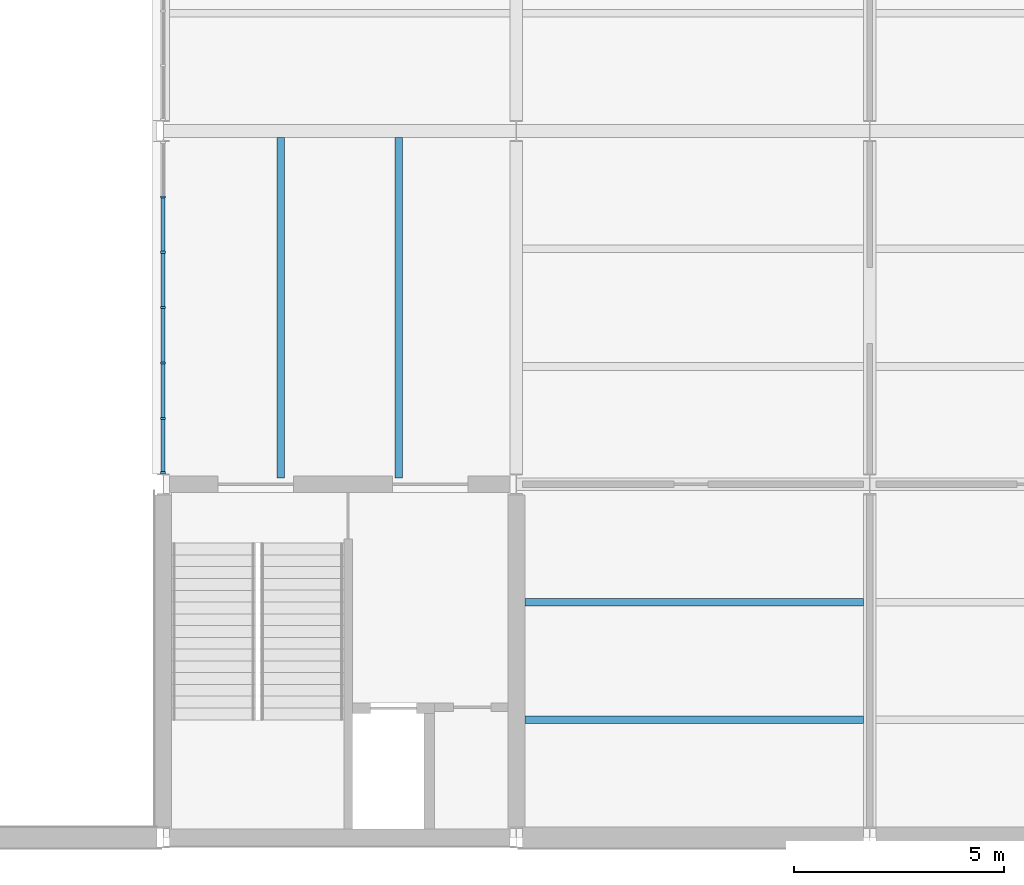
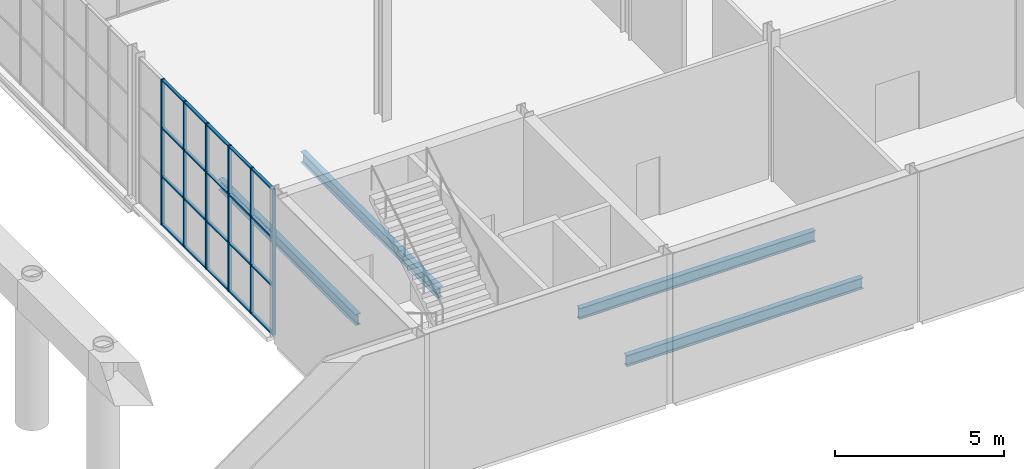
# One storey, part 9 of 64: 26 members, 4 beams, 1 element without a shape of its own.
"""IFC4 building model written with IfcOpenShell, lengths in metres."""

from ifc_helpers import new_model, si_unit, direction, frame, origin, origin_2d, place, context, subcontext, project, spatial, rectangle, i_section, extrude, material, layer, layer_set, material_profile, profile_set, type_object, element, aggregate, save


model = new_model("IFC4")

# Units and contexts
model_context = context("Model", 3, precision=1e-05, world=origin(), true_north=direction((0.0, 1.0)))
body_context = subcontext(model_context, "Body", "Model", "MODEL_VIEW")
ifc_project = project(units=[si_unit("LENGTHUNIT", "METRE"), si_unit("AREAUNIT", "SQUARE_METRE"), si_unit("VOLUMEUNIT", "CUBIC_METRE"), si_unit("PLANEANGLEUNIT", "RADIAN"), si_unit("MASSUNIT", "GRAM", prefix="KILO")], contexts=[model_context])

# Site, building, storey
site_placement = place(None, origin())
site = spatial("IfcSite", under=ifc_project, at=site_placement, CompositionType="ELEMENT")
building_placement = place(site_placement, origin())
building = spatial("IfcBuilding", under=site, at=building_placement, Name="Galleria Vessillo Department Store", CompositionType="ELEMENT")
storey_placement = place(building_placement, frame((0.0, 0.0, 6.0)))
storey = spatial("IfcBuildingStorey", under=building, at=storey_placement, Name="L01", CompositionType="ELEMENT", Elevation=6.0)

# Curtain wall, members
ifc_material_1 = material(Name="Aluminium and glass curtain wall", Category="aluminium")
ifc_layer = layer(ifc_material_1, 0.1201171875)
ifc_layer_set = layer_set([ifc_layer], Name="Aluminium and glass curtain wall")
curtain_wall_type = type_object("IfcCurtainWallType", Name="Shopfront curtain wall CW3 1400 module", PredefinedType="NOTDEFINED", material=ifc_layer_set)
curtain_wall_placement = place(storey_placement, origin())
curtain_wall = element("IfcCurtainWall", 1, at=curtain_wall_placement, inside=storey, type_object=curtain_wall_type, Name="Shopfront curtain wall CW3 1400 module LB-L01-01", PredefinedType="NOTDEFINED")
ifc_material_2 = material(Name="Aluminium alloy 6063 T6", Category="aluminium")
ifc_material_profile_1 = material_profile(ifc_material_2, rectangle(XDim=0.1201171875, YDim=0.050048828125, at=origin_2d()), Name="AL 50x120")
ifc_profile_set_1 = profile_set([ifc_material_profile_1], Name="Aluminium alloy 6063 T6")
member_type_1 = type_object("IfcMemberType", Name="Aluminium mullion 50 x 120", PredefinedType="MULLION", material=ifc_profile_set_1)
member_1_placement = place(storey_placement, frame((8.39990234375, 8.6748046875, 0.0), z_axis=(0.0, 0.0, 1.0), x_axis=(-1.0, 0.0, 0.0)))
member_1 = element("IfcMember", 2, at=member_1_placement, type_object=member_type_1, Name="CW3 mullion 1", PredefinedType="MULLION", context=body_context, shape_type="SweptSolid", body=[
    extrude(rectangle(XDim=0.1201171875, YDim=0.050048828125, at=origin_2d()), origin(), (0.0, 0.0, 1.0), 5.25),
])
member_2_placement = place(storey_placement, frame((8.39990234375, 9.966552734375, 0.0), z_axis=(0.0, 0.0, 1.0), x_axis=(-1.0, 0.0, 0.0)))
member_2 = element("IfcMember", 3, at=member_2_placement, type_object=member_type_1, Name="CW3 mullion 2", PredefinedType="MULLION", context=body_context, shape_type="SweptSolid", body=[
    extrude(rectangle(XDim=0.1201171875, YDim=0.050048828125, at=origin_2d()), origin(), (0.0, 0.0, 1.0), 5.25),
])
member_3_placement = place(storey_placement, frame((8.39990234375, 11.283203125, 0.0), z_axis=(0.0, 0.0, 1.0), x_axis=(-1.0, 0.0, 0.0)))
member_3 = element("IfcMember", 4, at=member_3_placement, type_object=member_type_1, Name="CW3 mullion 3", PredefinedType="MULLION", context=body_context, shape_type="SweptSolid", body=[
    extrude(rectangle(XDim=0.1201171875, YDim=0.050048828125, at=origin_2d()), origin(), (0.0, 0.0, 1.0), 5.25),
])
member_4_placement = place(storey_placement, frame((8.39990234375, 12.60009765625, 0.0), z_axis=(0.0, 0.0, 1.0), x_axis=(-1.0, 0.0, 0.0)))
member_4 = element("IfcMember", 5, at=member_4_placement, type_object=member_type_1, Name="CW3 mullion 4", PredefinedType="MULLION", context=body_context, shape_type="SweptSolid", body=[
    extrude(rectangle(XDim=0.1201171875, YDim=0.050048828125, at=origin_2d()), origin(), (0.0, 0.0, 1.0), 5.25),
])
member_5_placement = place(storey_placement, frame((8.39990234375, 13.916748046875, 0.0), z_axis=(0.0, 0.0, 1.0), x_axis=(-1.0, 0.0, 0.0)))
member_5 = element("IfcMember", 6, at=member_5_placement, type_object=member_type_1, Name="CW3 mullion 5", PredefinedType="MULLION", context=body_context, shape_type="SweptSolid", body=[
    extrude(rectangle(XDim=0.1201171875, YDim=0.050048828125, at=origin_2d()), origin(), (0.0, 0.0, 1.0), 5.25),
])
member_6_placement = place(storey_placement, frame((8.39990234375, 15.2333984375, 0.0), z_axis=(0.0, 0.0, 1.0), x_axis=(-1.0, 0.0, 0.0)))
member_6 = element("IfcMember", 7, at=member_6_placement, type_object=member_type_1, Name="CW3 mullion 6", PredefinedType="MULLION", context=body_context, shape_type="SweptSolid", body=[
    extrude(rectangle(XDim=0.1201171875, YDim=0.050048828125, at=origin_2d()), origin(), (0.0, 0.0, 1.0), 5.25),
])
ifc_material_3 = material(Name="Aluminium alloy 6063 T6", Category="aluminium")
ifc_material_profile_2 = material_profile(ifc_material_3, rectangle(XDim=0.10009765625, YDim=0.050048828125, at=origin_2d()), Name="AL 50x100")
ifc_profile_set_2 = profile_set([ifc_material_profile_2], Name="Aluminium alloy 6063 T6")
member_type_2 = type_object("IfcMemberType", Name="Aluminium transom 50 x 100", PredefinedType="USERDEFINED", material=ifc_profile_set_2)
member_7_placement = place(storey_placement, frame((8.39990234375, 8.699951171875, 0.02490234375), z_axis=(0.0, 1.0, 0.0), x_axis=(-1.0, 0.0, 0.0)))
member_7 = element("IfcMember", 8, at=member_7_placement, type_object=member_type_2, Name="CW3 transom 1.1", ObjectType="TRANSOM", PredefinedType="USERDEFINED", context=body_context, shape_type="SweptSolid", body=[
    extrude(rectangle(XDim=0.10009765625, YDim=0.050048828125, at=origin_2d()), origin(), (0.0, 0.0, 1.0), 1.24169921875),
])
member_8_placement = place(storey_placement, frame((8.39990234375, 8.699951171875, 1.75), z_axis=(0.0, 1.0, 0.0), x_axis=(-1.0, 0.0, 0.0)))
member_8 = element("IfcMember", 9, at=member_8_placement, type_object=member_type_2, Name="CW3 transom 1.2", ObjectType="TRANSOM", PredefinedType="USERDEFINED", context=body_context, shape_type="SweptSolid", body=[
    extrude(rectangle(XDim=0.10009765625, YDim=0.050048828125, at=origin_2d()), origin(), (0.0, 0.0, 1.0), 1.24169921875),
])
member_9_placement = place(storey_placement, frame((8.39990234375, 8.699951171875, 3.5), z_axis=(0.0, 1.0, 0.0), x_axis=(-1.0, 0.0, 0.0)))
member_9 = element("IfcMember", 10, at=member_9_placement, type_object=member_type_2, Name="CW3 transom 1.3", ObjectType="TRANSOM", PredefinedType="USERDEFINED", context=body_context, shape_type="SweptSolid", body=[
    extrude(rectangle(XDim=0.10009765625, YDim=0.050048828125, at=origin_2d()), origin(), (0.0, 0.0, 1.0), 1.24169921875),
])
member_10_placement = place(storey_placement, frame((8.39990234375, 8.699951171875, 5.22509765625), z_axis=(0.0, 1.0, 0.0), x_axis=(-1.0, 0.0, 0.0)))
member_10 = element("IfcMember", 11, at=member_10_placement, type_object=member_type_2, Name="CW3 transom 1.4", ObjectType="TRANSOM", PredefinedType="USERDEFINED", context=body_context, shape_type="SweptSolid", body=[
    extrude(rectangle(XDim=0.10009765625, YDim=0.050048828125, at=origin_2d()), origin(), (0.0, 0.0, 1.0), 1.24169921875),
])
member_11_placement = place(storey_placement, frame((8.39990234375, 9.99169921875, 0.02490234375), z_axis=(0.0, 1.0, 0.0), x_axis=(-1.0, 0.0, 0.0)))
member_11 = element("IfcMember", 12, at=member_11_placement, type_object=member_type_2, Name="CW3 transom 2.1", ObjectType="TRANSOM", PredefinedType="USERDEFINED", context=body_context, shape_type="SweptSolid", body=[
    extrude(rectangle(XDim=0.10009765625, YDim=0.050048828125, at=origin_2d()), origin(), (0.0, 0.0, 1.0), 1.2666015625),
])
member_12_placement = place(storey_placement, frame((8.39990234375, 9.99169921875, 1.75), z_axis=(0.0, 1.0, 0.0), x_axis=(-1.0, 0.0, 0.0)))
member_12 = element("IfcMember", 13, at=member_12_placement, type_object=member_type_2, Name="CW3 transom 2.2", ObjectType="TRANSOM", PredefinedType="USERDEFINED", context=body_context, shape_type="SweptSolid", body=[
    extrude(rectangle(XDim=0.10009765625, YDim=0.050048828125, at=origin_2d()), origin(), (0.0, 0.0, 1.0), 1.2666015625),
])
member_13_placement = place(storey_placement, frame((8.39990234375, 9.99169921875, 3.5), z_axis=(0.0, 1.0, 0.0), x_axis=(-1.0, 0.0, 0.0)))
member_13 = element("IfcMember", 14, at=member_13_placement, type_object=member_type_2, Name="CW3 transom 2.3", ObjectType="TRANSOM", PredefinedType="USERDEFINED", context=body_context, shape_type="SweptSolid", body=[
    extrude(rectangle(XDim=0.10009765625, YDim=0.050048828125, at=origin_2d()), origin(), (0.0, 0.0, 1.0), 1.2666015625),
])
member_14_placement = place(storey_placement, frame((8.39990234375, 9.99169921875, 5.22509765625), z_axis=(0.0, 1.0, 0.0), x_axis=(-1.0, 0.0, 0.0)))
member_14 = element("IfcMember", 15, at=member_14_placement, type_object=member_type_2, Name="CW3 transom 2.4", ObjectType="TRANSOM", PredefinedType="USERDEFINED", context=body_context, shape_type="SweptSolid", body=[
    extrude(rectangle(XDim=0.10009765625, YDim=0.050048828125, at=origin_2d()), origin(), (0.0, 0.0, 1.0), 1.2666015625),
])
member_15_placement = place(storey_placement, frame((8.39990234375, 11.308349609375, 0.02490234375), z_axis=(0.0, 1.0, 0.0), x_axis=(-1.0, 0.0, 0.0)))
member_15 = element("IfcMember", 16, at=member_15_placement, type_object=member_type_2, Name="CW3 transom 3.1", ObjectType="TRANSOM", PredefinedType="USERDEFINED", context=body_context, shape_type="SweptSolid", body=[
    extrude(rectangle(XDim=0.10009765625, YDim=0.050048828125, at=origin_2d()), origin(), (0.0, 0.0, 1.0), 1.2666015625),
])
member_16_placement = place(storey_placement, frame((8.39990234375, 11.308349609375, 1.75), z_axis=(0.0, 1.0, 0.0), x_axis=(-1.0, 0.0, 0.0)))
member_16 = element("IfcMember", 17, at=member_16_placement, type_object=member_type_2, Name="CW3 transom 3.2", ObjectType="TRANSOM", PredefinedType="USERDEFINED", context=body_context, shape_type="SweptSolid", body=[
    extrude(rectangle(XDim=0.10009765625, YDim=0.050048828125, at=origin_2d()), origin(), (0.0, 0.0, 1.0), 1.2666015625),
])
member_17_placement = place(storey_placement, frame((8.39990234375, 11.308349609375, 3.5), z_axis=(0.0, 1.0, 0.0), x_axis=(-1.0, 0.0, 0.0)))
member_17 = element("IfcMember", 18, at=member_17_placement, type_object=member_type_2, Name="CW3 transom 3.3", ObjectType="TRANSOM", PredefinedType="USERDEFINED", context=body_context, shape_type="SweptSolid", body=[
    extrude(rectangle(XDim=0.10009765625, YDim=0.050048828125, at=origin_2d()), origin(), (0.0, 0.0, 1.0), 1.2666015625),
])
member_18_placement = place(storey_placement, frame((8.39990234375, 11.308349609375, 5.22509765625), z_axis=(0.0, 1.0, 0.0), x_axis=(-1.0, 0.0, 0.0)))
member_18 = element("IfcMember", 19, at=member_18_placement, type_object=member_type_2, Name="CW3 transom 3.4", ObjectType="TRANSOM", PredefinedType="USERDEFINED", context=body_context, shape_type="SweptSolid", body=[
    extrude(rectangle(XDim=0.10009765625, YDim=0.050048828125, at=origin_2d()), origin(), (0.0, 0.0, 1.0), 1.2666015625),
])
member_19_placement = place(storey_placement, frame((8.39990234375, 12.625, 0.02490234375), z_axis=(0.0, 1.0, 0.0), x_axis=(-1.0, 0.0, 0.0)))
member_19 = element("IfcMember", 20, at=member_19_placement, type_object=member_type_2, Name="CW3 transom 4.1", ObjectType="TRANSOM", PredefinedType="USERDEFINED", context=body_context, shape_type="SweptSolid", body=[
    extrude(rectangle(XDim=0.10009765625, YDim=0.050048828125, at=origin_2d()), origin(), (0.0, 0.0, 1.0), 1.2666015625),
])
member_20_placement = place(storey_placement, frame((8.39990234375, 12.625, 1.75), z_axis=(0.0, 1.0, 0.0), x_axis=(-1.0, 0.0, 0.0)))
member_20 = element("IfcMember", 21, at=member_20_placement, type_object=member_type_2, Name="CW3 transom 4.2", ObjectType="TRANSOM", PredefinedType="USERDEFINED", context=body_context, shape_type="SweptSolid", body=[
    extrude(rectangle(XDim=0.10009765625, YDim=0.050048828125, at=origin_2d()), origin(), (0.0, 0.0, 1.0), 1.2666015625),
])
member_21_placement = place(storey_placement, frame((8.39990234375, 12.625, 3.5), z_axis=(0.0, 1.0, 0.0), x_axis=(-1.0, 0.0, 0.0)))
member_21 = element("IfcMember", 22, at=member_21_placement, type_object=member_type_2, Name="CW3 transom 4.3", ObjectType="TRANSOM", PredefinedType="USERDEFINED", context=body_context, shape_type="SweptSolid", body=[
    extrude(rectangle(XDim=0.10009765625, YDim=0.050048828125, at=origin_2d()), origin(), (0.0, 0.0, 1.0), 1.2666015625),
])
member_22_placement = place(storey_placement, frame((8.39990234375, 12.625, 5.22509765625), z_axis=(0.0, 1.0, 0.0), x_axis=(-1.0, 0.0, 0.0)))
member_22 = element("IfcMember", 23, at=member_22_placement, type_object=member_type_2, Name="CW3 transom 4.4", ObjectType="TRANSOM", PredefinedType="USERDEFINED", context=body_context, shape_type="SweptSolid", body=[
    extrude(rectangle(XDim=0.10009765625, YDim=0.050048828125, at=origin_2d()), origin(), (0.0, 0.0, 1.0), 1.2666015625),
])
member_23_placement = place(storey_placement, frame((8.39990234375, 13.941650390625, 0.02490234375), z_axis=(0.0, 1.0, 0.0), x_axis=(-1.0, 0.0, 0.0)))
member_23 = element("IfcMember", 24, at=member_23_placement, type_object=member_type_2, Name="CW3 transom 5.1", ObjectType="TRANSOM", PredefinedType="USERDEFINED", context=body_context, shape_type="SweptSolid", body=[
    extrude(rectangle(XDim=0.10009765625, YDim=0.050048828125, at=origin_2d()), origin(), (0.0, 0.0, 1.0), 1.2666015625),
])
member_24_placement = place(storey_placement, frame((8.39990234375, 13.941650390625, 1.75), z_axis=(0.0, 1.0, 0.0), x_axis=(-1.0, 0.0, 0.0)))
member_24 = element("IfcMember", 25, at=member_24_placement, type_object=member_type_2, Name="CW3 transom 5.2", ObjectType="TRANSOM", PredefinedType="USERDEFINED", context=body_context, shape_type="SweptSolid", body=[
    extrude(rectangle(XDim=0.10009765625, YDim=0.050048828125, at=origin_2d()), origin(), (0.0, 0.0, 1.0), 1.2666015625),
])
member_25_placement = place(storey_placement, frame((8.39990234375, 13.941650390625, 3.5), z_axis=(0.0, 1.0, 0.0), x_axis=(-1.0, 0.0, 0.0)))
member_25 = element("IfcMember", 26, at=member_25_placement, type_object=member_type_2, Name="CW3 transom 5.3", ObjectType="TRANSOM", PredefinedType="USERDEFINED", context=body_context, shape_type="SweptSolid", body=[
    extrude(rectangle(XDim=0.10009765625, YDim=0.050048828125, at=origin_2d()), origin(), (0.0, 0.0, 1.0), 1.2666015625),
])
member_26_placement = place(storey_placement, frame((8.39990234375, 13.941650390625, 5.22509765625), z_axis=(0.0, 1.0, 0.0), x_axis=(-1.0, 0.0, 0.0)))
member_26 = element("IfcMember", 27, at=member_26_placement, type_object=member_type_2, Name="CW3 transom 5.4", ObjectType="TRANSOM", PredefinedType="USERDEFINED", context=body_context, shape_type="SweptSolid", body=[
    extrude(rectangle(XDim=0.10009765625, YDim=0.050048828125, at=origin_2d()), origin(), (0.0, 0.0, 1.0), 1.2666015625),
])
aggregate(curtain_wall, [member_1, member_2, member_3, member_4, member_5, member_6, member_7, member_8, member_9, member_10, member_11, member_12, member_13, member_14, member_15, member_16, member_17, member_18, member_19, member_20, member_21, member_22, member_23, member_24, member_25, member_26])

# Beams
ifc_material_4 = material(Name="Steel S355 J2", Category="steel")
ifc_material_profile_3 = material_profile(ifc_material_4, i_section(OverallWidth=0.179931640625, OverallDepth=0.39990234375, WebThickness=0.008544921875, FlangeThickness=0.013427734375, FilletRadius=0.02099609375, at=origin_2d()), Name="IPE 400")
ifc_profile_set_3 = profile_set([ifc_material_profile_3], Name="Steel S355 J2")
beam_type = type_object("IfcBeamType", Name="Floor joist IPE 400", PredefinedType="JOIST", material=ifc_profile_set_3)
for number, where, z_axis, x_axis, name in (
    (28, (11.199951171875, 8.550048828125, -0.349853515625), (0.0, 1.0, 0.0), (-1.0, 0.0, 0.0), "S-BM-L01-JO-y11200-8550"),
    (29, (14.0, 8.550048828125, -0.349853515625), (0.0, 1.0, 0.0), (-1.0, 0.0, 0.0), "S-BM-L01-JO-y14000-8550"),
):
    element("IfcBeam", number, at=place(storey_placement, frame(where, z_axis=z_axis, x_axis=x_axis)), inside=storey, type_object=beam_type, Name=name, PredefinedType="JOIST", context=body_context, shape_type="SweptSolid", body=[
        extrude(i_section(OverallWidth=0.179931640625, OverallDepth=0.39990234375, WebThickness=0.008544921875, FlangeThickness=0.013427734375, FilletRadius=0.02099609375, at=origin_2d()), origin(), (0.0, 0.0, 1.0), 8.099853515625),
    ])
for number, where, z_axis, x_axis, name in (
    (30, (17.000244140625, 2.800048828125, -0.349853515625), (1.0, 0.0, 0.0), (0.0, 1.0, 0.0), "S-BM-L01-JO-x2800-17000"),
    (31, (17.000244140625, 5.60009765625, -0.349853515625), (1.0, 0.0, 0.0), (0.0, 1.0, 0.0), "S-BM-L01-JO-x5600-17000"),
):
    element("IfcBeam", number, at=place(storey_placement, frame(where, z_axis=z_axis, x_axis=x_axis)), inside=storey, type_object=beam_type, Name=name, PredefinedType="JOIST", context=body_context, shape_type="SweptSolid", body=[
        extrude(i_section(OverallWidth=0.179931640625, OverallDepth=0.39990234375, WebThickness=0.008544921875, FlangeThickness=0.013427734375, FilletRadius=0.02099609375, at=origin_2d()), origin(), (0.0, 0.0, 1.0), 8.049560546875),
    ])

save(model, "model.ifc")
